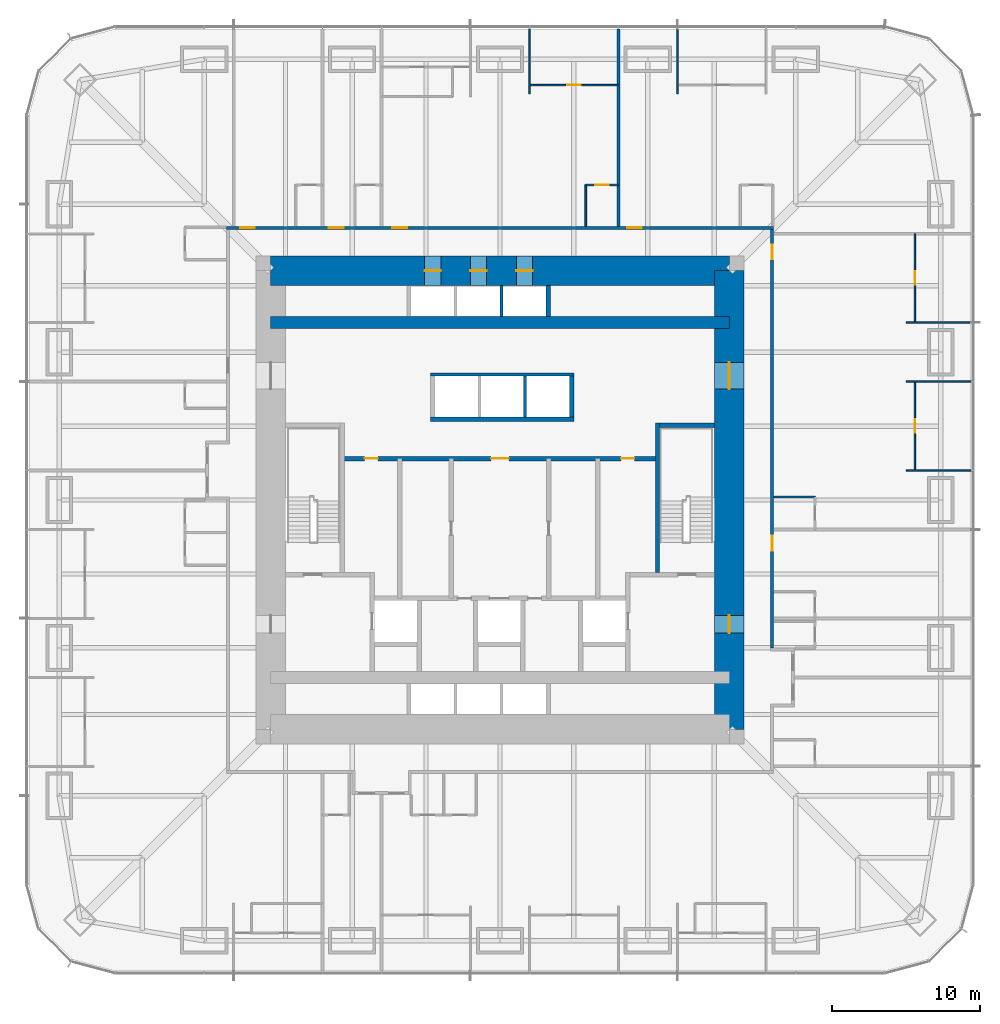
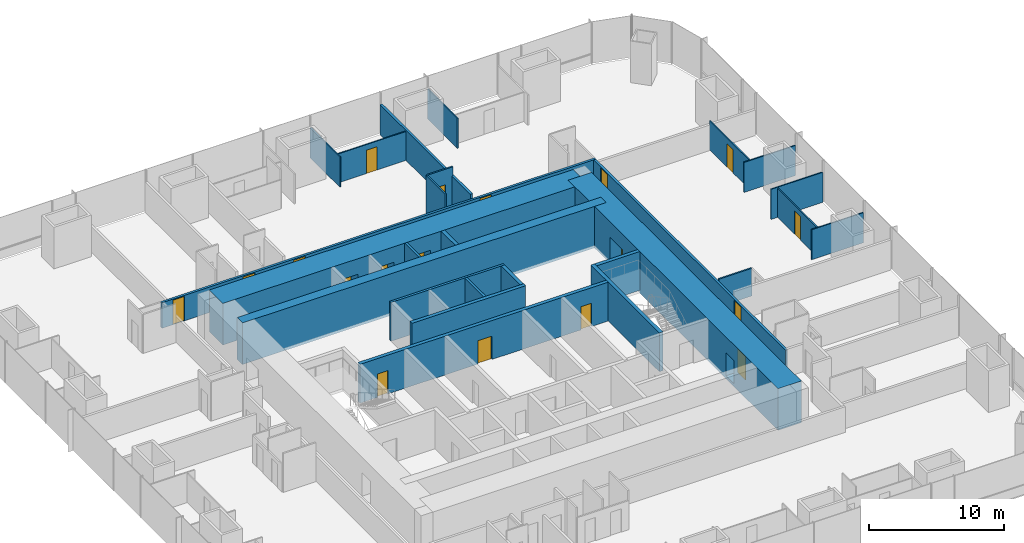
# One storey, part 18 of 20: 26 walls, 18 doors, 18 openings.
"""IFC4 building model written with IfcOpenShell, lengths in metres."""

import ifcopenshell
import ifcopenshell.guid

model = None  # the IFC model being written
_history = None  # IfcOwnerHistory: only IFC2X3 demands one
_inside = {}  # id of a spatial element -> (the spatial element, [elements in it])
_under = {}  # id of a project, library or spatial element -> (it, [spatial elements below it])
_declared = {}  # id of a project -> (the project, [libraries it declares])
_typed = {}  # id of a type object -> (the type object, [elements of that type])
_made_of = {}  # id of a material, layer set ... -> (it, [elements and type objects made of it])


def new_model(schema):
    """Start an empty IFC model of exactly this schema.

    Asked for "IFC4X3", IfcOpenShell would pick the latest addendum, in which some entities
    have other attributes; the version numbers below select the first issue.
    IFC2X3 requires an IfcOwnerHistory on every rooted entity: one is made here for all.
    """
    global model, _history
    if schema == "IFC4X3":
        model = ifcopenshell.file(schema_version=(4, 3, 0, 0))
    else:
        model = ifcopenshell.file(schema=schema)
    _inside.clear()
    _under.clear()
    _declared.clear()
    _typed.clear()
    _made_of.clear()
    _history = None
    if model.schema == "IFC2X3":
        org = make("IfcOrganization", Name="unknown")
        user = make(
            "IfcPersonAndOrganization",
            ThePerson=make("IfcPerson", FamilyName="unknown"),
            TheOrganization=org,
        )
        app = make(
            "IfcApplication",
            ApplicationDeveloper=org,
            Version="unknown",
            ApplicationFullName="unknown",
            ApplicationIdentifier="unknown",
        )
        _history = make(
            "IfcOwnerHistory",
            OwningUser=user,
            OwningApplication=app,
            ChangeAction="ADDED",
            CreationDate=0,
        )
    return model


def make(cls, **values):
    """One entity of the class cls with the attributes given. An attribute that is None is left unset."""
    return model.create_entity(
        cls, **{name: value for name, value in values.items() if value is not None}
    )


def rooted(cls, **values):
    """An entity with a GlobalId (a new one), such as an element, a storey or a relation."""
    return make(cls, GlobalId=ifcopenshell.guid.new(), OwnerHistory=_history, **values)


def si_unit(unit_type, name, prefix=None):
    """IfcSIUnit, for example si_unit("LENGTHUNIT", "METRE", prefix="MILLI")."""
    return make("IfcSIUnit", UnitType=unit_type, Prefix=prefix, Name=name)


def assignment(units):
    """IfcUnitAssignment: the units of a project."""
    return None if units is None else make("IfcUnitAssignment", Units=units)


def point(xyz):
    """IfcCartesianPoint."""
    return None if xyz is None else make("IfcCartesianPoint", Coordinates=xyz)


def direction(xyz):
    """IfcDirection."""
    return None if xyz is None else make("IfcDirection", DirectionRatios=xyz)


def frame(location, z_axis=None, x_axis=None):
    """IfcAxis2Placement3D, a coordinate frame: its origin and axes. An axis left out is left unset."""
    return make(
        "IfcAxis2Placement3D",
        Location=point(location),
        Axis=direction(z_axis),
        RefDirection=direction(x_axis),
    )


def frame_2d(location, x_axis=None):
    """IfcAxis2Placement2D, a coordinate frame in the plane: its origin and x axis."""
    return make(
        "IfcAxis2Placement2D", Location=point(location), RefDirection=direction(x_axis)
    )


def origin():
    """The frame at (0, 0, 0) with its axes left unset."""
    return frame((0.0, 0.0, 0.0))


def place(relative_to, where):
    """IfcLocalPlacement: puts the frame where relative to a parent placement (None: the world)."""
    return make(
        "IfcLocalPlacement", PlacementRelTo=relative_to, RelativePlacement=where
    )


def context(
    kind, dimensions, precision=None, world=None, true_north=None, identifier=None
):
    """IfcGeometricRepresentationContext, for example the 3D "Model" context."""
    return make(
        "IfcGeometricRepresentationContext",
        ContextIdentifier=identifier,
        ContextType=kind,
        CoordinateSpaceDimension=dimensions,
        Precision=precision,
        WorldCoordinateSystem=world,
        TrueNorth=true_north,
    )


def subcontext(parent, identifier, kind, view, scale=None):
    """IfcGeometricRepresentationSubContext, for example "Body" below "Model"."""
    return make(
        "IfcGeometricRepresentationSubContext",
        ContextIdentifier=identifier,
        ContextType=kind,
        ParentContext=parent,
        TargetScale=scale,
        TargetView=view,
    )


def project(units=None, contexts=None):
    """IfcProject with its units and contexts."""
    return rooted(
        "IfcProject",
        Name="project",
        RepresentationContexts=contexts,
        UnitsInContext=assignment(units),
    )


def spatial(cls, under=None, at=None, **own):
    """A site, building, storey or space (cls), placed at a placement, below another one or the project."""
    s = rooted(cls, ObjectPlacement=at, **own)
    if under is not None:
        _under.setdefault(under.id(), (under, []))[1].append(s)
    return s


def profile(cls, at=None, kind="AREA", **sizes):
    """A parametric profile (cls). Its sizes go by their IFC names, for example OverallWidth=200.0."""
    return make(cls, ProfileType=kind, Position=at, **sizes)


def rectangle(**sizes):
    """IfcRectangleProfileDef."""
    return profile("IfcRectangleProfileDef", **sizes)


def extrude(swept, where, along, depth):
    """IfcExtrudedAreaSolid: the profile swept, set in the frame where, extruded along a direction by depth."""
    return make(
        "IfcExtrudedAreaSolid",
        SweptArea=swept,
        Position=where,
        ExtrudedDirection=direction(along),
        Depth=depth,
    )


def shape(context_of_items, identifier, shape_type, items):
    """IfcShapeRepresentation: the items that make up one representation, for example the "Body"."""
    return make(
        "IfcShapeRepresentation",
        ContextOfItems=context_of_items,
        RepresentationIdentifier=identifier,
        RepresentationType=shape_type,
        Items=items,
    )


def material(Name=None, Category=None):
    """IfcMaterial."""
    return make("IfcMaterial", Name=Name, Category=Category)


def layer(
    of_material, thickness, ventilated=None, Name=None, Category=None, Priority=None
):
    """IfcMaterialLayer: one layer of a wall or slab, of a material (None: an air gap)."""
    return make(
        "IfcMaterialLayer",
        Material=of_material,
        LayerThickness=thickness,
        IsVentilated=ventilated,
        Name=Name,
        Category=Category,
        Priority=Priority,
    )


def layer_set(layers, Name=None):
    """IfcMaterialLayerSet."""
    return make("IfcMaterialLayerSet", MaterialLayers=layers, LayerSetName=Name)


def made_of(thing, what):
    """Note that an element or type object is made of a material, layer set ...; save() writes the relation."""
    if what is not None:
        _made_of.setdefault(what.id(), (what, []))[1].append(thing)
    return thing


def type_object(cls, material=None, **own):
    """A type object (cls), such as IfcWallType, which elements share."""
    return made_of(rooted(cls, **own), material)


def element(
    cls,
    number,
    at=None,
    inside=None,
    cuts=None,
    type_object=None,
    material=None,
    context=None,
    identifier="Body",
    shape_type=None,
    held_by="IfcProductDefinitionShape",
    body=None,
    shapes=None,
    **own,
):
    """One element of the class cls, such as IfcWall. Its Tag is "e" and its number.

    at: its placement. inside: the storey or other place that contains it. cuts: it is an
    opening in that element (IfcRelVoidsElement). A single representation is given by context,
    identifier, shape_type and body (its items); several are given by shapes. held_by: the class
    of the entity that holds the representations. save() writes the other relations.
    """
    e = rooted(cls, Tag="e%d" % number, ObjectPlacement=at, **own)
    if body is not None:
        shapes = [shape(context, identifier, shape_type, body)]
    if shapes is not None:
        e.Representation = make(held_by, Representations=shapes)
    if inside is not None:
        _inside.setdefault(inside.id(), (inside, []))[1].append(e)
    if cuts is not None:
        rooted(
            "IfcRelVoidsElement", RelatingBuildingElement=cuts, RelatedOpeningElement=e
        )
    if type_object is not None:
        _typed.setdefault(type_object.id(), (type_object, []))[1].append(e)
    return made_of(e, material)


def fill(opening, filler):
    """IfcRelFillsElement: the door or window that sits in an opening."""
    return rooted(
        "IfcRelFillsElement",
        RelatingOpeningElement=opening,
        RelatedBuildingElement=filler,
    )


def aggregate(whole, parts):
    """IfcRelAggregates: a whole, such as a stair, and the parts it consists of."""
    return rooted("IfcRelAggregates", RelatingObject=whole, RelatedObjects=parts)


def save(model, path):
    """Write the relations noted so far, then the file.

    IfcRelAggregates (storeys below a building ...), IfcRelContainedInSpatialStructure (elements
    in a storey), IfcRelDefinesByType, IfcRelAssociatesMaterial and IfcRelDeclares: one each for
    every whole, place, type object, material and project.
    """
    for whole, parts in _under.values():
        aggregate(whole, parts)
    for where, things in _inside.values():
        rooted(
            "IfcRelContainedInSpatialStructure",
            RelatedElements=things,
            RelatingStructure=where,
        )
    for kind, things in _typed.values():
        rooted("IfcRelDefinesByType", RelatedObjects=things, RelatingType=kind)
    for what, things in _made_of.values():
        rooted("IfcRelAssociatesMaterial", RelatedObjects=things, RelatingMaterial=what)
    for by, libraries in _declared.values():
        rooted("IfcRelDeclares", RelatingContext=by, RelatedDefinitions=libraries)
    model.write(path)


model = new_model("IFC4")

# Units and contexts
model_context = context("Model", 3, precision=1e-05, world=origin(), true_north=direction((0.0, 1.0)))
body_context = subcontext(model_context, "Body", "Model", "MODEL_VIEW")
ifc_project = project(units=[si_unit("LENGTHUNIT", "METRE"), si_unit("AREAUNIT", "SQUARE_METRE"), si_unit("VOLUMEUNIT", "CUBIC_METRE"), si_unit("PLANEANGLEUNIT", "RADIAN"), si_unit("MASSUNIT", "GRAM", prefix="KILO")], contexts=[model_context])

# Site, building, storey
site_placement = place(None, origin())
site = spatial("IfcSite", under=ifc_project, at=site_placement, CompositionType="ELEMENT")
building_placement = place(site_placement, origin())
building = spatial("IfcBuilding", under=site, at=building_placement, Name="Khuree Lantern Residences", CompositionType="ELEMENT")
storey_placement = place(building_placement, frame((0.0, 0.0, 32.25)))
storey = spatial("IfcBuildingStorey", under=building, at=storey_placement, Name="L07", CompositionType="ELEMENT", Elevation=32.25)

# Wall
ifc_material_1 = material(Name="Moisture-resistant gypsum board on steel studs", Category="steel")
ifc_layer_1 = layer(ifc_material_1, 0.125)
ifc_layer_set_1 = layer_set([ifc_layer_1], Name="BATHROOM WALL BTW125")
wall_type_1 = type_object("IfcWallType", Name="BATHROOM WALL BTW125", PredefinedType="PARTITIONING", material=ifc_layer_set_1)
wall_1_placement = place(storey_placement, frame((18.5, 0.199951171875, 0.0), z_axis=(0.0, 0.0, 1.0), x_axis=(1.0, 0.0, 0.0)))
element("IfcWall", 1, at=wall_1_placement, inside=storey, type_object=wall_type_1, Name="L07 BATHROOM WALL 02", PredefinedType="PARTITIONING", context=body_context, shape_type="SweptSolid", body=[
    extrude(rectangle(XDim=2.800048828125, YDim=0.125, at=frame_2d((1.39990234375, 0.0))), origin(), (0.0, 0.0, 1.0), 2.491943359375),
])

# Wall, opening, door
wall_2_placement = place(storey_placement, frame((8.0, 21.300048828125, 0.0), z_axis=(0.0, 0.0, 1.0), x_axis=(-1.0, 0.0, 0.0)))
wall_2 = element("IfcWall", 2, at=wall_2_placement, inside=storey, type_object=wall_type_1, Name="L07 BATHROOM WALL 04", PredefinedType="PARTITIONING", context=body_context, shape_type="SweptSolid", body=[
    extrude(rectangle(XDim=2.199951171875, YDim=0.125, at=frame_2d((1.10009765625, 0.0))), origin(), (0.0, 0.0, 1.0), 3.5),
])
opening_1_placement = place(wall_2_placement, frame((0.64990234375, 0.0, 0.0)))
opening_1 = element("IfcOpeningElement", 3, at=opening_1_placement, cuts=wall_2, Name="Opening 07-032", PredefinedType="OPENING", context=body_context, shape_type="SweptSolid", body=[
    extrude(rectangle(XDim=0.89990234375, YDim=2.10009765625, at=frame_2d((0.449951171875, 1.050048828125))), frame((0.0, 0.072509765625, 0.0), z_axis=(0.0, -1.0, 0.0), x_axis=(1.0, 0.0, 0.0)), (0.0, 0.0, 1.0), 0.14501953125),
])
ifc_material_2 = material(Name="Timber door leaf in hardwood frame", Category="wood")
door_type_1 = type_object("IfcDoorType", Name="BATHROOM DOOR 900X2100", OperationType="SINGLE_SWING_LEFT", PredefinedType="DOOR", material=ifc_material_2)
door_1_placement = place(opening_1_placement, origin())
door_1 = element("IfcDoor", 4, at=door_1_placement, inside=storey, type_object=door_type_1, Name="Bathroom door 07-032", OperationType="SINGLE_SWING_LEFT", OverallHeight=2.10009765625, OverallWidth=0.89990234375, PredefinedType="DOOR", context=body_context, shape_type="SweptSolid", body=[
    extrude(rectangle(XDim=0.89990234375, YDim=2.10009765625, at=frame_2d((0.449951171875, 1.050048828125))), frame((0.0, 0.02490234375, 0.0), z_axis=(0.0, -1.0, 0.0), x_axis=(1.0, 0.0, 0.0)), (0.0, 0.0, 1.0), 0.050048828125),
])
fill(opening_1, door_1)

# Walls
wall_3_placement = place(storey_placement, frame((5.800048828125, 18.5, 0.0), z_axis=(0.0, 0.0, 1.0), x_axis=(0.0, 1.0, 0.0)))
element("IfcWall", 5, at=wall_3_placement, inside=storey, type_object=wall_type_1, Name="L07 BATHROOM WALL 04", PredefinedType="PARTITIONING", context=body_context, shape_type="SweptSolid", body=[
    extrude(rectangle(XDim=2.800048828125, YDim=0.125, at=frame_2d((1.39990234375, 0.0))), origin(), (0.0, 0.0, 1.0), 3.5),
])
ifc_material_3 = material(Name="Dense concrete blockwork", Category="masonry")
ifc_layer_2 = layer(ifc_material_3, 0.300048828125)
ifc_layer_set_2 = layer_set([ifc_layer_2], Name="CORE PARTITION WALL CPW300 EI 120")
wall_type_2 = type_object("IfcWallType", Name="CORE PARTITION WALL CPW300 EI 120", PredefinedType="PARTITIONING", material=ifc_layer_set_2)
wall_4_placement = place(storey_placement, frame((-4.699951171875, 5.449951171875, 0.0), z_axis=(0.0, 0.0, 1.0), x_axis=(1.0, 0.0, 0.0)))
element("IfcWall", 6, at=wall_4_placement, inside=storey, type_object=wall_type_2, Name="L07 CORE WALL PHS", PredefinedType="PARTITIONING", context=body_context, shape_type="SweptSolid", body=[
    extrude(rectangle(XDim=9.699951171875, YDim=0.300048828125, at=frame_2d((4.85009765625, 0.0))), origin(), (0.0, 0.0, 1.0), 3.5),
])
wall_5_placement = place(storey_placement, frame((4.85009765625, 5.60009765625, 0.0), z_axis=(0.0, 0.0, 1.0), x_axis=(0.0, 1.0, 0.0)))
element("IfcWall", 7, at=wall_5_placement, inside=storey, type_object=wall_type_2, Name="L07 CORE WALL PHE", PredefinedType="PARTITIONING", context=body_context, shape_type="SweptSolid", body=[
    extrude(rectangle(XDim=2.7998046875, YDim=0.300048828125, at=frame_2d((1.39990234375, 0.0))), origin(), (0.0, 0.0, 1.0), 3.5),
])
wall_6_placement = place(storey_placement, frame((3.25, 12.39990234375, 0.0), z_axis=(0.0, 0.0, 1.0), x_axis=(0.0, 1.0, 0.0)))
element("IfcWall", 8, at=wall_6_placement, inside=storey, type_object=wall_type_2, Name="L07 CORE WALL PLE", PredefinedType="PARTITIONING", context=body_context, shape_type="SweptSolid", body=[
    extrude(rectangle(XDim=2.10009765625, YDim=0.300048828125, at=frame_2d((1.050048828125, 0.0))), origin(), (0.0, 0.0, 1.0), 3.5),
])

# Wall, openings, doors
wall_7_placement = place(storey_placement, frame((-10.64990234375, 2.800048828125, 0.0), z_axis=(0.0, 0.0, 1.0), x_axis=(1.0, 0.0, 0.0)))
wall_7 = element("IfcWall", 9, at=wall_7_placement, inside=storey, type_object=wall_type_2, Name="L07 CORE WALL LLS", PredefinedType="PARTITIONING", context=body_context, shape_type="SweptSolid", body=[
    extrude(rectangle(XDim=21.2998046875, YDim=0.300048828125, at=frame_2d((10.64990234375, 0.0))), origin(), (0.0, 0.0, 1.0), 3.5),
])
opening_2_placement = place(wall_7_placement, frame((10.050048828125, 0.0, 0.0)))
opening_2 = element("IfcOpeningElement", 10, at=opening_2_placement, cuts=wall_7, Name="Opening 07-013", PredefinedType="OPENING", context=body_context, shape_type="SweptSolid", body=[
    extrude(rectangle(XDim=1.199951171875, YDim=2.10009765625, at=frame_2d((0.60009765625, 1.050048828125))), frame((0.0, 0.16015625, 0.0), z_axis=(0.0, -1.0, 0.0), x_axis=(1.0, 0.0, 0.0)), (0.0, 0.0, 1.0), 0.320068359375),
])
opening_3_placement = place(wall_7_placement, frame((1.492919921875, 0.0, 0.0)))
opening_3 = element("IfcOpeningElement", 11, at=opening_3_placement, cuts=wall_7, Name="Opening 07-017", PredefinedType="OPENING", context=body_context, shape_type="SweptSolid", body=[
    extrude(rectangle(XDim=0.89990234375, YDim=2.10009765625, at=frame_2d((0.449951171875, 1.050048828125))), frame((0.0, 0.16015625, 0.0), z_axis=(0.0, -1.0, 0.0), x_axis=(1.0, 0.0, 0.0)), (0.0, 0.0, 1.0), 0.320068359375),
])
opening_4_placement = place(wall_7_placement, frame((18.8359375, 0.0, 0.0)))
opening_4 = element("IfcOpeningElement", 12, at=opening_4_placement, cuts=wall_7, Name="Opening 07-019", PredefinedType="OPENING", context=body_context, shape_type="SweptSolid", body=[
    extrude(rectangle(XDim=0.89990234375, YDim=2.10009765625, at=frame_2d((0.449951171875, 1.050048828125))), frame((0.0, 0.16015625, 0.0), z_axis=(0.0, -1.0, 0.0), x_axis=(1.0, 0.0, 0.0)), (0.0, 0.0, 1.0), 0.320068359375),
])
ifc_material_4 = material(Name="Steel door leaf in steel frame", Category="steel")
door_type_2 = type_object("IfcDoorType", Name="DOOR 1200X2100 EI 60", OperationType="SINGLE_SWING_LEFT", PredefinedType="DOOR", material=ifc_material_4)
door_2_placement = place(opening_2_placement, origin())
door_2 = element("IfcDoor", 13, at=door_2_placement, inside=storey, type_object=door_type_2, Name="Service lift lobby door 07-013", OperationType="SINGLE_SWING_LEFT", OverallHeight=2.10009765625, OverallWidth=1.199951171875, PredefinedType="DOOR", context=body_context, shape_type="SweptSolid", body=[
    extrude(rectangle(XDim=1.199951171875, YDim=2.10009765625, at=frame_2d((0.60009765625, 1.050048828125))), frame((0.0, 0.02490234375, 0.0), z_axis=(0.0, -1.0, 0.0), x_axis=(1.0, 0.0, 0.0)), (0.0, 0.0, 1.0), 0.050048828125),
])
fill(opening_2, door_2)
door_type_3 = type_object("IfcDoorType", Name="DOOR 900X2100", OperationType="SINGLE_SWING_LEFT", PredefinedType="DOOR", material=ifc_material_2)
door_3_placement = place(opening_3_placement, origin())
door_3 = element("IfcDoor", 14, at=door_3_placement, inside=storey, type_object=door_type_3, Name="Residents' store door 07-017", OperationType="SINGLE_SWING_LEFT", OverallHeight=2.10009765625, OverallWidth=0.89990234375, PredefinedType="DOOR", context=body_context, shape_type="SweptSolid", body=[
    extrude(rectangle(XDim=0.89990234375, YDim=2.10009765625, at=frame_2d((0.449951171875, 1.050048828125))), frame((0.0, 0.02490234375, 0.0), z_axis=(0.0, -1.0, 0.0), x_axis=(1.0, 0.0, 0.0)), (0.0, 0.0, 1.0), 0.050048828125),
])
fill(opening_3, door_3)
door_type_4 = type_object("IfcDoorType", Name="DOOR 900X2100 RIGHT HAND", OperationType="SINGLE_SWING_RIGHT", PredefinedType="DOOR", material=ifc_material_2)
door_4_placement = place(opening_4_placement, origin())
door_4 = element("IfcDoor", 15, at=door_4_placement, inside=storey, type_object=door_type_4, Name="Residents' store door 07-019", OperationType="SINGLE_SWING_RIGHT", OverallHeight=2.10009765625, OverallWidth=0.89990234375, PredefinedType="DOOR", context=body_context, shape_type="SweptSolid", body=[
    extrude(rectangle(XDim=0.89990234375, YDim=2.10009765625, at=frame_2d((0.449951171875, 1.050048828125))), frame((0.0, 0.02490234375, 0.0), z_axis=(0.0, -1.0, 0.0), x_axis=(1.0, 0.0, 0.0)), (0.0, 0.0, 1.0), 0.050048828125),
])
fill(opening_4, door_4)

ifc_material_5 = material(Name="Gypsum board on steel studs", Category="steel")
ifc_layer_3 = layer(ifc_material_5, 0.199951171875)
ifc_layer_set_3 = layer_set([ifc_layer_3], Name="CORRIDOR WALL CRW200 EI 60")
wall_type_3 = type_object("IfcWallType", Name="CORRIDOR WALL CRW200 EI 60", PredefinedType="PARTITIONING", material=ifc_layer_set_3)
wall_8_placement = place(storey_placement, frame((18.39990234375, -10.0, 0.0), z_axis=(0.0, 0.0, 1.0), x_axis=(0.0, 1.0, 0.0)))
wall_8 = element("IfcWall", 16, at=wall_8_placement, inside=storey, type_object=wall_type_3, Name="L07 CORRIDOR WALL EAST 2", PredefinedType="PARTITIONING", context=body_context, shape_type="SweptSolid", body=[
    extrude(rectangle(XDim=28.300048828125, YDim=0.199951171875, at=frame_2d((14.14990234375, 0.0))), origin(), (0.0, 0.0, 1.0), 2.300048828125),
])
opening_5_placement = place(wall_8_placement, frame((6.570068359375, 0.0, 0.0)))
opening_5 = element("IfcOpeningElement", 17, at=opening_5_placement, cuts=wall_8, Name="Opening 07-021", PredefinedType="OPENING", context=body_context, shape_type="SweptSolid", body=[
    extrude(rectangle(XDim=1.0, YDim=2.199951171875, at=frame_2d((0.5, 1.10009765625))), frame((0.0, 0.10986328125, 0.0), z_axis=(0.0, -1.0, 0.0), x_axis=(1.0, 0.0, 0.0)), (0.0, 0.0, 1.0), 0.219970703125),
])
opening_6_placement = place(wall_8_placement, frame((26.27001953125, 0.0, 0.0)))
opening_6 = element("IfcOpeningElement", 18, at=opening_6_placement, cuts=wall_8, Name="Opening 07-025", PredefinedType="OPENING", context=body_context, shape_type="SweptSolid", body=[
    extrude(rectangle(XDim=1.0, YDim=2.199951171875, at=frame_2d((0.5, 1.10009765625))), frame((0.0, 0.10986328125, 0.0), z_axis=(0.0, -1.0, 0.0), x_axis=(1.0, 0.0, 0.0)), (0.0, 0.0, 1.0), 0.219970703125),
])
door_type_5 = type_object("IfcDoorType", Name="APARTMENT ENTRANCE DOOR 1000X2200 EI 30S", OperationType="SINGLE_SWING_LEFT", PredefinedType="DOOR", material=ifc_material_2)
door_5_placement = place(opening_5_placement, origin())
door_5 = element("IfcDoor", 19, at=door_5_placement, inside=storey, type_object=door_type_5, Name="Apartment 01 entrance door 07-021", OperationType="SINGLE_SWING_LEFT", OverallHeight=2.199951171875, OverallWidth=1.0, PredefinedType="DOOR", context=body_context, shape_type="SweptSolid", body=[
    extrude(rectangle(XDim=1.0, YDim=2.199951171875, at=frame_2d((0.5, 1.10009765625))), frame((0.0, 0.02490234375, 0.0), z_axis=(0.0, -1.0, 0.0), x_axis=(1.0, 0.0, 0.0)), (0.0, 0.0, 1.0), 0.050048828125),
])
fill(opening_5, door_5)
door_type_6 = type_object("IfcDoorType", Name="APARTMENT ENTRANCE DOOR 1000X2200 EI 30S RIGHT HAND", OperationType="SINGLE_SWING_RIGHT", PredefinedType="DOOR", material=ifc_material_2)
door_6_placement = place(opening_6_placement, origin())
door_6 = element("IfcDoor", 20, at=door_6_placement, inside=storey, type_object=door_type_6, Name="Apartment 02 entrance door 07-025", OperationType="SINGLE_SWING_RIGHT", OverallHeight=2.199951171875, OverallWidth=1.0, PredefinedType="DOOR", context=body_context, shape_type="SweptSolid", body=[
    extrude(rectangle(XDim=1.0, YDim=2.199951171875, at=frame_2d((0.5, 1.10009765625))), frame((0.0, 0.02490234375, 0.0), z_axis=(0.0, -1.0, 0.0), x_axis=(1.0, 0.0, 0.0)), (0.0, 0.0, 1.0), 0.050048828125),
])
fill(opening_6, door_6)

wall_9_placement = place(storey_placement, frame((-18.5, 18.39990234375, 0.0), z_axis=(0.0, 0.0, 1.0), x_axis=(1.0, 0.0, 0.0)))
wall_9 = element("IfcWall", 21, at=wall_9_placement, inside=storey, type_object=wall_type_3, Name="L07 CORRIDOR WALL NORTH 1", PredefinedType="PARTITIONING", context=body_context, shape_type="SweptSolid", body=[
    extrude(rectangle(XDim=37.0, YDim=0.199951171875, at=frame_2d((18.5, 0.0))), origin(), (0.0, 0.0, 1.0), 2.300048828125),
])
opening_7_placement = place(wall_9_placement, frame((27.10009765625, 0.0, 0.0)))
opening_7 = element("IfcOpeningElement", 22, at=opening_7_placement, cuts=wall_9, Name="Opening 07-028", PredefinedType="OPENING", context=body_context, shape_type="SweptSolid", body=[
    extrude(rectangle(XDim=1.0, YDim=2.199951171875, at=frame_2d((0.5, 1.10009765625))), frame((0.0, 0.10986328125, 0.0), z_axis=(0.0, -1.0, 0.0), x_axis=(1.0, 0.0, 0.0)), (0.0, 0.0, 1.0), 0.219970703125),
])
opening_8_placement = place(wall_9_placement, frame((11.22998046875, 0.0, 0.0)))
opening_8 = element("IfcOpeningElement", 23, at=opening_8_placement, cuts=wall_9, Name="Opening 07-033", PredefinedType="OPENING", context=body_context, shape_type="SweptSolid", body=[
    extrude(rectangle(XDim=1.0, YDim=2.199951171875, at=frame_2d((0.5, 1.10009765625))), frame((0.0, 0.10986328125, 0.0), z_axis=(0.0, -1.0, 0.0), x_axis=(1.0, 0.0, 0.0)), (0.0, 0.0, 1.0), 0.219970703125),
])
opening_9_placement = place(wall_9_placement, frame((6.929931640625, 0.0, 0.0)))
opening_9 = element("IfcOpeningElement", 24, at=opening_9_placement, cuts=wall_9, Name="Opening 07-035", PredefinedType="OPENING", context=body_context, shape_type="SweptSolid", body=[
    extrude(rectangle(XDim=1.0, YDim=2.199951171875, at=frame_2d((0.5, 1.10009765625))), frame((0.0, 0.10986328125, 0.0), z_axis=(0.0, -1.0, 0.0), x_axis=(1.0, 0.0, 0.0)), (0.0, 0.0, 1.0), 0.219970703125),
])
opening_10_placement = place(wall_9_placement, frame((0.929931640625, 0.0, 0.0)))
opening_10 = element("IfcOpeningElement", 25, at=opening_10_placement, cuts=wall_9, Name="Opening 07-037", PredefinedType="OPENING", context=body_context, shape_type="SweptSolid", body=[
    extrude(rectangle(XDim=1.0, YDim=2.199951171875, at=frame_2d((0.5, 1.10009765625))), frame((0.0, 0.10986328125, 0.0), z_axis=(0.0, -1.0, 0.0), x_axis=(1.0, 0.0, 0.0)), (0.0, 0.0, 1.0), 0.219970703125),
])
door_7_placement = place(opening_7_placement, origin())
door_7 = element("IfcDoor", 26, at=door_7_placement, inside=storey, type_object=door_type_5, Name="Apartment 03 entrance door 07-028", OperationType="SINGLE_SWING_LEFT", OverallHeight=2.199951171875, OverallWidth=1.0, PredefinedType="DOOR", context=body_context, shape_type="SweptSolid", body=[
    extrude(rectangle(XDim=1.0, YDim=2.199951171875, at=frame_2d((0.5, 1.10009765625))), frame((0.0, 0.02490234375, 0.0), z_axis=(0.0, -1.0, 0.0), x_axis=(1.0, 0.0, 0.0)), (0.0, 0.0, 1.0), 0.050048828125),
])
fill(opening_7, door_7)
door_8_placement = place(opening_8_placement, origin())
door_8 = element("IfcDoor", 27, at=door_8_placement, inside=storey, type_object=door_type_5, Name="Apartment 04 entrance door 07-033", OperationType="SINGLE_SWING_LEFT", OverallHeight=2.199951171875, OverallWidth=1.0, PredefinedType="DOOR", context=body_context, shape_type="SweptSolid", body=[
    extrude(rectangle(XDim=1.0, YDim=2.199951171875, at=frame_2d((0.5, 1.10009765625))), frame((0.0, 0.02490234375, 0.0), z_axis=(0.0, -1.0, 0.0), x_axis=(1.0, 0.0, 0.0)), (0.0, 0.0, 1.0), 0.050048828125),
])
fill(opening_8, door_8)
door_9_placement = place(opening_9_placement, origin())
door_9 = element("IfcDoor", 28, at=door_9_placement, inside=storey, type_object=door_type_5, Name="Apartment 05 entrance door 07-035", OperationType="SINGLE_SWING_LEFT", OverallHeight=2.199951171875, OverallWidth=1.0, PredefinedType="DOOR", context=body_context, shape_type="SweptSolid", body=[
    extrude(rectangle(XDim=1.0, YDim=2.199951171875, at=frame_2d((0.5, 1.10009765625))), frame((0.0, 0.02490234375, 0.0), z_axis=(0.0, -1.0, 0.0), x_axis=(1.0, 0.0, 0.0)), (0.0, 0.0, 1.0), 0.050048828125),
])
fill(opening_9, door_9)
door_10_placement = place(opening_10_placement, origin())
door_10 = element("IfcDoor", 29, at=door_10_placement, inside=storey, type_object=door_type_5, Name="Apartment 06 entrance door 07-037", OperationType="SINGLE_SWING_LEFT", OverallHeight=2.199951171875, OverallWidth=1.0, PredefinedType="DOOR", context=body_context, shape_type="SweptSolid", body=[
    extrude(rectangle(XDim=1.0, YDim=2.199951171875, at=frame_2d((0.5, 1.10009765625))), frame((0.0, 0.02490234375, 0.0), z_axis=(0.0, -1.0, 0.0), x_axis=(1.0, 0.0, 0.0)), (0.0, 0.0, 1.0), 0.050048828125),
])
fill(opening_10, door_10)

ifc_material_6 = material(Name="Concrete C70/85", Category="concrete")
ifc_layer_4 = layer(ifc_material_6, 2.0)
ifc_layer_set_4 = layer_set([ifc_layer_4], Name="CW2000-C70 CORE WALL C70 2000")
wall_type_4 = type_object("IfcWallType", Name="CW2000-C70 CORE WALL C70 2000", PredefinedType="SHEAR", material=ifc_layer_set_4)
wall_10_placement = place(storey_placement, frame((15.5, -15.5, -0.25), z_axis=(0.0, 0.0, 1.0), x_axis=(0.0, 1.0, 0.0)))
wall_10 = element("IfcWall", 30, at=wall_10_placement, inside=storey, type_object=wall_type_4, Name="Core wall E", PredefinedType="SHEAR", context=body_context, shape_type="SweptSolid", body=[
    extrude(rectangle(XDim=31.0, YDim=2.0, at=frame_2d((15.5, 0.0))), origin(), (0.0, 0.0, 1.0), 3.75),
])
opening_11_placement = place(wall_10_placement, frame((6.5, 0.0, 0.25)))
opening_11 = element("IfcOpeningElement", 31, at=opening_11_placement, cuts=wall_10, Name="Opening 07-005", PredefinedType="OPENING", context=body_context, shape_type="SweptSolid", body=[
    extrude(rectangle(XDim=1.199951171875, YDim=2.10009765625, at=frame_2d((0.60009765625, 1.050048828125))), frame((0.0, 1.010009765625, 0.0), z_axis=(0.0, -1.0, 0.0), x_axis=(1.0, 0.0, 0.0)), (0.0, 0.0, 1.0), 2.02001953125),
])
opening_12_placement = place(wall_10_placement, frame((23.0, 0.0, 0.25)))
opening_12 = element("IfcOpeningElement", 32, at=opening_12_placement, cuts=wall_10, Name="Opening 07-006", PredefinedType="OPENING", context=body_context, shape_type="SweptSolid", body=[
    extrude(rectangle(XDim=1.800048828125, YDim=2.10009765625, at=frame_2d((0.89990234375, 1.050048828125))), frame((0.0, 1.010009765625, 0.0), z_axis=(0.0, -1.0, 0.0), x_axis=(1.0, 0.0, 0.0)), (0.0, 0.0, 1.0), 2.02001953125),
])
door_type_7 = type_object("IfcDoorType", Name="LOBBY DOOR 1200X2100 EI 120", OperationType="SINGLE_SWING_LEFT", PredefinedType="DOOR", material=ifc_material_4)
door_11_placement = place(opening_11_placement, origin())
door_11 = element("IfcDoor", 33, at=door_11_placement, inside=storey, type_object=door_type_7, Name="Firefighting lobby door 07-005", OperationType="SINGLE_SWING_LEFT", OverallHeight=2.10009765625, OverallWidth=1.199951171875, PredefinedType="DOOR", context=body_context, shape_type="SweptSolid", body=[
    extrude(rectangle(XDim=1.199951171875, YDim=2.10009765625, at=frame_2d((0.60009765625, 1.050048828125))), frame((0.0, 0.02490234375, 0.0), z_axis=(0.0, -1.0, 0.0), x_axis=(1.0, 0.0, 0.0)), (0.0, 0.0, 1.0), 0.050048828125),
])
fill(opening_11, door_11)
door_type_8 = type_object("IfcDoorType", Name="LOBBY DOUBLE DOOR 1800X2100 EI 60", OperationType="DOUBLE_DOOR_SINGLE_SWING", PredefinedType="DOOR", material=ifc_material_4)
door_12_placement = place(opening_12_placement, origin())
door_12 = element("IfcDoor", 34, at=door_12_placement, inside=storey, type_object=door_type_8, Name="Lift lobby door 07-006", OperationType="DOUBLE_DOOR_SINGLE_SWING", OverallHeight=2.10009765625, OverallWidth=1.800048828125, PredefinedType="DOOR", context=body_context, shape_type="SweptSolid", body=[
    extrude(rectangle(XDim=1.800048828125, YDim=2.10009765625, at=frame_2d((0.89990234375, 1.050048828125))), frame((0.0, 0.02490234375, 0.0), z_axis=(0.0, -1.0, 0.0), x_axis=(1.0, 0.0, 0.0)), (0.0, 0.0, 1.0), 0.050048828125),
])
fill(opening_12, door_12)

wall_11_placement = place(storey_placement, frame((-15.5, 15.5, -0.25), z_axis=(0.0, 0.0, 1.0), x_axis=(1.0, 0.0, 0.0)))
wall_11 = element("IfcWall", 35, at=wall_11_placement, inside=storey, type_object=wall_type_4, Name="Core wall N", PredefinedType="SHEAR", context=body_context, shape_type="SweptSolid", body=[
    extrude(rectangle(XDim=31.0, YDim=2.0, at=frame_2d((15.5, 0.0))), origin(), (0.0, 0.0, 1.0), 3.75),
])
opening_13_placement = place(wall_11_placement, frame((10.39990234375, 0.0, 0.25)))
opening_13 = element("IfcOpeningElement", 36, at=opening_13_placement, cuts=wall_11, Name="Opening 07-009", PredefinedType="OPENING", context=body_context, shape_type="SweptSolid", body=[
    extrude(rectangle(XDim=1.10009765625, YDim=2.10009765625, at=frame_2d((0.550048828125, 1.050048828125))), frame((0.0, 1.010009765625, 0.0), z_axis=(0.0, -1.0, 0.0), x_axis=(1.0, 0.0, 0.0)), (0.0, 0.0, 1.0), 2.02001953125),
])
opening_14_placement = place(wall_11_placement, frame((13.5, 0.0, 0.25)))
opening_14 = element("IfcOpeningElement", 37, at=opening_14_placement, cuts=wall_11, Name="Opening 07-010", PredefinedType="OPENING", context=body_context, shape_type="SweptSolid", body=[
    extrude(rectangle(XDim=1.10009765625, YDim=2.10009765625, at=frame_2d((0.550048828125, 1.050048828125))), frame((0.0, 1.010009765625, 0.0), z_axis=(0.0, -1.0, 0.0), x_axis=(1.0, 0.0, 0.0)), (0.0, 0.0, 1.0), 2.02001953125),
])
opening_15_placement = place(wall_11_placement, frame((16.60009765625, 0.0, 0.25)))
opening_15 = element("IfcOpeningElement", 38, at=opening_15_placement, cuts=wall_11, Name="Opening 07-011", PredefinedType="OPENING", context=body_context, shape_type="SweptSolid", body=[
    extrude(rectangle(XDim=1.10009765625, YDim=2.10009765625, at=frame_2d((0.550048828125, 1.050048828125))), frame((0.0, 1.010009765625, 0.0), z_axis=(0.0, -1.0, 0.0), x_axis=(1.0, 0.0, 0.0)), (0.0, 0.0, 1.0), 2.02001953125),
])
ifc_material_7 = material(Name="Stainless steel lift landing door", Category="steel")
door_type_9 = type_object("IfcDoorType", Name="LIFT LANDING DOOR 1100X2100 E 60", OperationType="DOUBLE_DOOR_SLIDING", PredefinedType="DOOR", material=ifc_material_7)
door_13_placement = place(opening_13_placement, origin())
door_13 = element("IfcDoor", 39, at=door_13_placement, inside=storey, type_object=door_type_9, Name="Landing door PL1 07-009", OperationType="DOUBLE_DOOR_SLIDING", OverallHeight=2.10009765625, OverallWidth=1.10009765625, PredefinedType="DOOR", context=body_context, shape_type="SweptSolid", body=[
    extrude(rectangle(XDim=1.10009765625, YDim=2.10009765625, at=frame_2d((0.550048828125, 1.050048828125))), frame((0.0, 0.02490234375, 0.0), z_axis=(0.0, -1.0, 0.0), x_axis=(1.0, 0.0, 0.0)), (0.0, 0.0, 1.0), 0.050048828125),
])
fill(opening_13, door_13)
door_14_placement = place(opening_14_placement, origin())
door_14 = element("IfcDoor", 40, at=door_14_placement, inside=storey, type_object=door_type_9, Name="Landing door PL2 07-010", OperationType="DOUBLE_DOOR_SLIDING", OverallHeight=2.10009765625, OverallWidth=1.10009765625, PredefinedType="DOOR", context=body_context, shape_type="SweptSolid", body=[
    extrude(rectangle(XDim=1.10009765625, YDim=2.10009765625, at=frame_2d((0.550048828125, 1.050048828125))), frame((0.0, 0.02490234375, 0.0), z_axis=(0.0, -1.0, 0.0), x_axis=(1.0, 0.0, 0.0)), (0.0, 0.0, 1.0), 0.050048828125),
])
fill(opening_14, door_14)
door_15_placement = place(opening_15_placement, origin())
door_15 = element("IfcDoor", 41, at=door_15_placement, inside=storey, type_object=door_type_9, Name="Landing door PL3 07-011", OperationType="DOUBLE_DOOR_SLIDING", OverallHeight=2.10009765625, OverallWidth=1.10009765625, PredefinedType="DOOR", context=body_context, shape_type="SweptSolid", body=[
    extrude(rectangle(XDim=1.10009765625, YDim=2.10009765625, at=frame_2d((0.550048828125, 1.050048828125))), frame((0.0, 0.02490234375, 0.0), z_axis=(0.0, -1.0, 0.0), x_axis=(1.0, 0.0, 0.0)), (0.0, 0.0, 1.0), 0.050048828125),
])
fill(opening_15, door_15)

# Walls
ifc_layer_5 = layer(ifc_material_5, 0.199951171875)
ifc_layer_set_5 = layer_set([ifc_layer_5], Name="DEMISING WALL DMW200 EI 90")
wall_type_5 = type_object("IfcWallType", Name="DEMISING WALL DMW200 EI 90", PredefinedType="PARTITIONING", material=ifc_layer_set_5)
wall_12_placement = place(storey_placement, frame((8.0, 18.5, 0.0), z_axis=(0.0, 0.0, 1.0), x_axis=(0.0, 1.0, 0.0)))
element("IfcWall", 42, at=wall_12_placement, inside=storey, type_object=wall_type_5, Name="L07 DEMISING WALL 04", PredefinedType="PARTITIONING", context=body_context, shape_type="SweptSolid", body=[
    extrude(rectangle(XDim=13.35009765625, YDim=0.199951171875, at=frame_2d((6.675048828125, 0.0))), origin(), (0.0, 0.0, 1.0), 2.7099609375),
])
ifc_layer_6 = layer(ifc_material_5, 0.10009765625)
ifc_layer_set_6 = layer_set([ifc_layer_6], Name="PARTITION PT100")
wall_type_6 = type_object("IfcWallType", Name="PARTITION PT100", PredefinedType="PARTITIONING", material=ifc_layer_set_6)
for number, where, z_axis, x_axis, name in (
    (43, (27.449951171875, 2.0, 0.0), (0.0, 0.0, 1.0), (1.0, 0.0, 0.0), "L07 PARTITION 02"),
    (44, (27.449951171875, 8.0, 0.0), (0.0, 0.0, 1.0), (1.0, 0.0, 0.0), "L07 PARTITION 02"),
    (45, (27.449951171875, 12.0, 0.0), (0.0, 0.0, 1.0), (1.0, 0.0, 0.0), "L07 PARTITION 02"),
    (46, (12.0, 27.449951171875, 0.0), (0.0, 0.0, 1.0), (0.0, 1.0, 0.0), "L07 PARTITION 03"),
    (47, (2.0, 27.449951171875, 0.0), (0.0, 0.0, 1.0), (0.0, 1.0, 0.0), "L07 PARTITION 04"),
):
    element("IfcWall", number, at=place(storey_placement, frame(where, z_axis=z_axis, x_axis=x_axis)), inside=storey, type_object=wall_type_6, Name=name, PredefinedType="PARTITIONING", context=body_context, shape_type="SweptSolid", body=[
        extrude(rectangle(XDim=4.400146484375, YDim=0.10009765625, at=frame_2d((2.2001953125, 0.0))), origin(), (0.0, 0.0, 1.0), 2.7099609375),
    ])

# Wall, opening, door
wall_13_placement = place(storey_placement, frame((28.050048828125, 2.0, 0.0), z_axis=(0.0, 0.0, 1.0), x_axis=(0.0, 1.0, 0.0)))
wall_13 = element("IfcWall", 48, at=wall_13_placement, inside=storey, type_object=wall_type_6, Name="L07 PARTITION 02", PredefinedType="PARTITIONING", context=body_context, shape_type="SweptSolid", body=[
    extrude(rectangle(XDim=6.0, YDim=0.10009765625, at=frame_2d((3.0, 0.0))), origin(), (0.0, 0.0, 1.0), 2.610107421875),
])
opening_16_placement = place(wall_13_placement, frame((2.550048828125, 0.0, 0.0)))
opening_16 = element("IfcOpeningElement", 49, at=opening_16_placement, cuts=wall_13, Name="Opening 07-022", PredefinedType="OPENING", context=body_context, shape_type="SweptSolid", body=[
    extrude(rectangle(XDim=0.89990234375, YDim=2.10009765625, at=frame_2d((0.449951171875, 1.050048828125))), frame((0.0, 0.06005859375, 0.0), z_axis=(0.0, -1.0, 0.0), x_axis=(1.0, 0.0, 0.0)), (0.0, 0.0, 1.0), 0.1201171875),
])
door_type_10 = type_object("IfcDoorType", Name="BEDROOM DOOR 900X2100", OperationType="SINGLE_SWING_LEFT", PredefinedType="DOOR", material=ifc_material_2)
door_16_placement = place(opening_16_placement, origin())
door_16 = element("IfcDoor", 50, at=door_16_placement, inside=storey, type_object=door_type_10, Name="Bedroom door 07-022", OperationType="SINGLE_SWING_LEFT", OverallHeight=2.10009765625, OverallWidth=0.89990234375, PredefinedType="DOOR", context=body_context, shape_type="SweptSolid", body=[
    extrude(rectangle(XDim=0.89990234375, YDim=2.10009765625, at=frame_2d((0.449951171875, 1.050048828125))), frame((0.0, 0.02490234375, 0.0), z_axis=(0.0, -1.0, 0.0), x_axis=(1.0, 0.0, 0.0)), (0.0, 0.0, 1.0), 0.050048828125),
])
fill(opening_16, door_16)

wall_14_placement = place(storey_placement, frame((28.050048828125, 12.0, 0.0), z_axis=(0.0, 0.0, 1.0), x_axis=(0.0, 1.0, 0.0)))
wall_14 = element("IfcWall", 51, at=wall_14_placement, inside=storey, type_object=wall_type_6, Name="L07 PARTITION 02", PredefinedType="PARTITIONING", context=body_context, shape_type="SweptSolid", body=[
    extrude(rectangle(XDim=6.0, YDim=0.10009765625, at=frame_2d((3.0, 0.0))), origin(), (0.0, 0.0, 1.0), 2.610107421875),
])
opening_17_placement = place(wall_14_placement, frame((2.550048828125, 0.0, 0.0)))
opening_17 = element("IfcOpeningElement", 52, at=opening_17_placement, cuts=wall_14, Name="Opening 07-023", PredefinedType="OPENING", context=body_context, shape_type="SweptSolid", body=[
    extrude(rectangle(XDim=0.89990234375, YDim=2.10009765625, at=frame_2d((0.449951171875, 1.050048828125))), frame((0.0, 0.06005859375, 0.0), z_axis=(0.0, -1.0, 0.0), x_axis=(1.0, 0.0, 0.0)), (0.0, 0.0, 1.0), 0.1201171875),
])
door_type_11 = type_object("IfcDoorType", Name="BEDROOM DOOR 900X2100 RIGHT HAND", OperationType="SINGLE_SWING_RIGHT", PredefinedType="DOOR", material=ifc_material_2)
door_17_placement = place(opening_17_placement, origin())
door_17 = element("IfcDoor", 53, at=door_17_placement, inside=storey, type_object=door_type_11, Name="Bedroom door 07-023", OperationType="SINGLE_SWING_RIGHT", OverallHeight=2.10009765625, OverallWidth=0.89990234375, PredefinedType="DOOR", context=body_context, shape_type="SweptSolid", body=[
    extrude(rectangle(XDim=0.89990234375, YDim=2.10009765625, at=frame_2d((0.449951171875, 1.050048828125))), frame((0.0, 0.02490234375, 0.0), z_axis=(0.0, -1.0, 0.0), x_axis=(1.0, 0.0, 0.0)), (0.0, 0.0, 1.0), 0.050048828125),
])
fill(opening_17, door_17)

wall_15_placement = place(storey_placement, frame((8.0, 28.050048828125, 0.0), z_axis=(0.0, 0.0, 1.0), x_axis=(-1.0, 0.0, 0.0)))
wall_15 = element("IfcWall", 54, at=wall_15_placement, inside=storey, type_object=wall_type_6, Name="L07 PARTITION 04", PredefinedType="PARTITIONING", context=body_context, shape_type="SweptSolid", body=[
    extrude(rectangle(XDim=6.0, YDim=0.10009765625, at=frame_2d((3.0, 0.0))), origin(), (0.0, 0.0, 1.0), 2.610107421875),
])
opening_18_placement = place(wall_15_placement, frame((2.550048828125, 0.0, 0.0)))
opening_18 = element("IfcOpeningElement", 55, at=opening_18_placement, cuts=wall_15, Name="Opening 07-029", PredefinedType="OPENING", context=body_context, shape_type="SweptSolid", body=[
    extrude(rectangle(XDim=0.89990234375, YDim=2.10009765625, at=frame_2d((0.449951171875, 1.050048828125))), frame((0.0, 0.06005859375, 0.0), z_axis=(0.0, -1.0, 0.0), x_axis=(1.0, 0.0, 0.0)), (0.0, 0.0, 1.0), 0.1201171875),
])
door_18_placement = place(opening_18_placement, origin())
door_18 = element("IfcDoor", 56, at=door_18_placement, inside=storey, type_object=door_type_10, Name="Bedroom door 07-029", OperationType="SINGLE_SWING_LEFT", OverallHeight=2.10009765625, OverallWidth=0.89990234375, PredefinedType="DOOR", context=body_context, shape_type="SweptSolid", body=[
    extrude(rectangle(XDim=0.89990234375, YDim=2.10009765625, at=frame_2d((0.449951171875, 1.050048828125))), frame((0.0, 0.02490234375, 0.0), z_axis=(0.0, -1.0, 0.0), x_axis=(1.0, 0.0, 0.0)), (0.0, 0.0, 1.0), 0.050048828125),
])
fill(opening_18, door_18)

# Walls
ifc_layer_7 = layer(ifc_material_3, 0.199951171875)
ifc_layer_set_7 = layer_set([ifc_layer_7], Name="SHAFT WALL SHW200 EI 120")
wall_type_7 = type_object("IfcWallType", Name="SHAFT WALL SHW200 EI 120", PredefinedType="PARTITIONING", material=ifc_layer_set_7)
wall_16_placement = place(storey_placement, frame((-4.699951171875, 8.5, 0.0), z_axis=(0.0, 0.0, 1.0), x_axis=(1.0, 0.0, 0.0)))
element("IfcWall", 57, at=wall_16_placement, inside=storey, type_object=wall_type_7, Name="L07 CORE WALL PHN", PredefinedType="PARTITIONING", context=body_context, shape_type="SweptSolid", body=[
    extrude(rectangle(XDim=9.699951171875, YDim=0.199951171875, at=frame_2d((4.85009765625, 0.0))), origin(), (0.0, 0.0, 1.0), 3.5),
])
wall_17_placement = place(storey_placement, frame((1.699951171875, 5.60009765625, 0.0), z_axis=(0.0, 0.0, 1.0), x_axis=(0.0, 1.0, 0.0)))
element("IfcWall", 58, at=wall_17_placement, inside=storey, type_object=wall_type_7, Name="L07 CORE WALL PHD2", PredefinedType="PARTITIONING", context=body_context, shape_type="SweptSolid", body=[
    extrude(rectangle(XDim=2.7998046875, YDim=0.199951171875, at=frame_2d((1.39990234375, 0.0))), origin(), (0.0, 0.0, 1.0), 3.5),
])
wall_18_placement = place(storey_placement, frame((0.10009765625, 12.39990234375, 0.0), z_axis=(0.0, 0.0, 1.0), x_axis=(0.0, 1.0, 0.0)))
element("IfcWall", 59, at=wall_18_placement, inside=storey, type_object=wall_type_7, Name="L07 CORE WALL PLD2", PredefinedType="PARTITIONING", context=body_context, shape_type="SweptSolid", body=[
    extrude(rectangle(XDim=2.10009765625, YDim=0.199951171875, at=frame_2d((1.050048828125, 0.0))), origin(), (0.0, 0.0, 1.0), 3.5),
])
ifc_layer_8 = layer(ifc_material_6, 0.800048828125)
ifc_layer_set_8 = layer_set([ifc_layer_8], Name="SP800-C70 CORE SPINE WALL C70 800")
wall_type_8 = type_object("IfcWallType", Name="SP800-C70 CORE SPINE WALL C70 800", PredefinedType="SHEAR", material=ifc_layer_set_8)
wall_19_placement = place(storey_placement, frame((-15.5, 12.0, -0.25), z_axis=(0.0, 0.0, 1.0), x_axis=(1.0, 0.0, 0.0)))
element("IfcWall", 60, at=wall_19_placement, inside=storey, type_object=wall_type_8, Name="Core wall SPN", PredefinedType="SHEAR", context=body_context, shape_type="SweptSolid", body=[
    extrude(rectangle(XDim=31.0, YDim=0.800048828125, at=frame_2d((15.5, 0.0))), origin(), (0.0, 0.0, 1.0), 3.75),
])
ifc_material_8 = material(Name="Concrete C50/60", Category="concrete")
ifc_layer_9 = layer(ifc_material_8, 0.300048828125)
ifc_layer_set_9 = layer_set([ifc_layer_9], Name="STAIR WALL SRW300 C50/60 REI 240")
wall_type_9 = type_object("IfcWallType", Name="STAIR WALL SRW300 C50/60 REI 240", PredefinedType="SOLIDWALL", material=ifc_layer_set_9)
wall_20_placement = place(storey_placement, frame((10.64990234375, -4.89990234375, 0.0), z_axis=(0.0, 0.0, 1.0), x_axis=(0.0, 1.0, 0.0)))
element("IfcWall", 61, at=wall_20_placement, inside=storey, type_object=wall_type_9, Name="L07 STAIR WALL ST2E", PredefinedType="SOLIDWALL", context=body_context, shape_type="SweptSolid", body=[
    extrude(rectangle(XDim=10.099853515625, YDim=0.300048828125, at=frame_2d((5.0498046875, 0.0))), origin(), (0.0, 0.0, 1.0), 3.5),
])
wall_21_placement = place(storey_placement, frame((14.5, 5.050048828125, 0.0), z_axis=(0.0, 0.0, 1.0), x_axis=(-1.0, 0.0, 0.0)))
element("IfcWall", 62, at=wall_21_placement, inside=storey, type_object=wall_type_9, Name="L07 STAIR WALL ST2N", PredefinedType="SOLIDWALL", context=body_context, shape_type="SweptSolid", body=[
    extrude(rectangle(XDim=3.699951171875, YDim=0.300048828125, at=frame_2d((1.85009765625, 0.0))), origin(), (0.0, 0.0, 1.0), 3.5),
])

save(model, "model.ifc")
